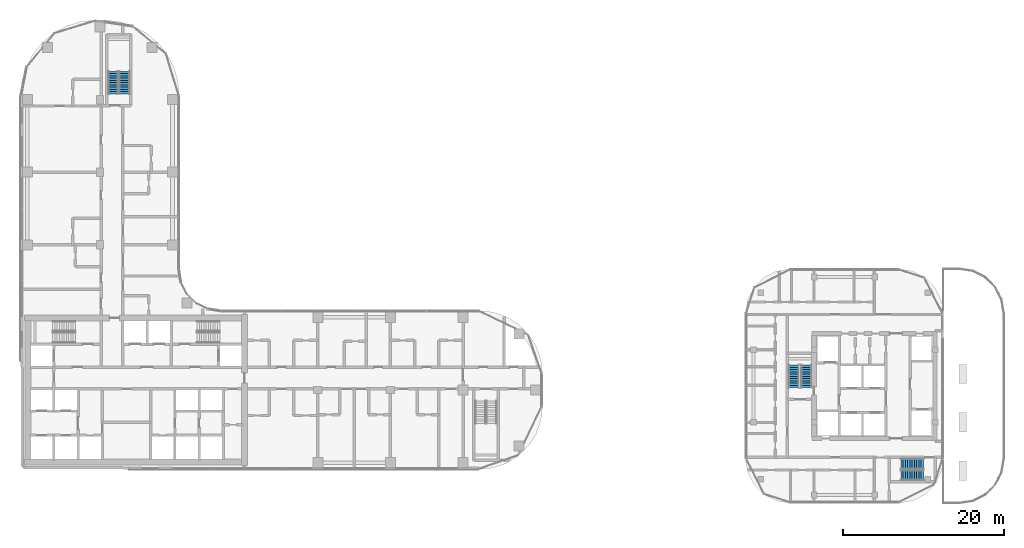
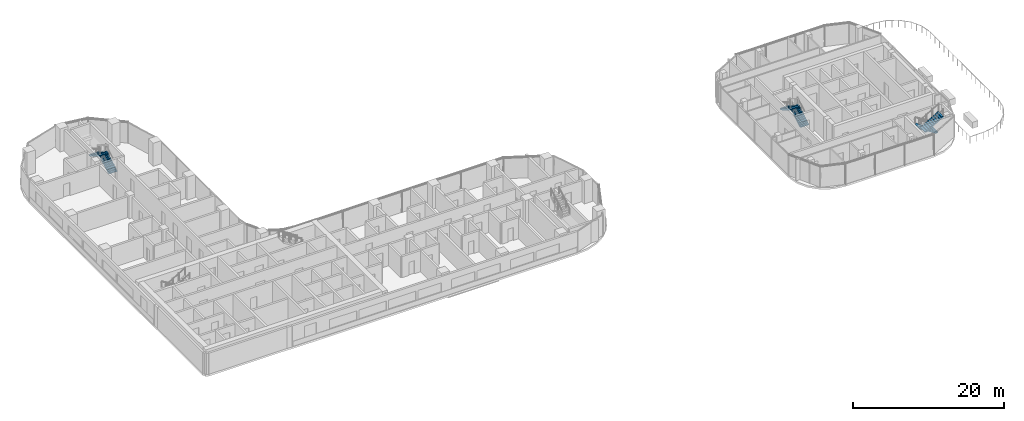
# One storey, part 28 of 35: 6 stair flights, 3 elements without a shape of their own.
"""IFC4 building model written with IfcOpenShell, lengths in metres."""

from ifc_helpers import new_model, si_unit, direction, frame, origin, place, context, subcontext, project, spatial, triangles, source, transform, mapped, material, type_object, element, aggregate, save


model = new_model("IFC4")

# Units and contexts
model_context = context("Model", 3, precision=1e-05, world=origin(), true_north=direction((0.0, 1.0)))
body_context = subcontext(model_context, "Body", "Model", "MODEL_VIEW")
ifc_project = project(units=[si_unit("LENGTHUNIT", "METRE"), si_unit("AREAUNIT", "SQUARE_METRE"), si_unit("VOLUMEUNIT", "CUBIC_METRE"), si_unit("PLANEANGLEUNIT", "RADIAN"), si_unit("MASSUNIT", "GRAM", prefix="KILO")], contexts=[model_context])

# Site, building, storey
site_placement = place(None, origin())
site = spatial("IfcSite", under=ifc_project, at=site_placement, CompositionType="ELEMENT")
building_placement = place(site_placement, origin())
building = spatial("IfcBuilding", under=site, at=building_placement, Name="Ogive Portal Towers", CompositionType="ELEMENT")
storey_placement = place(building_placement, frame((0.0, 0.0, 94.5)))
storey = spatial("IfcBuildingStorey", under=building, at=storey_placement, Name="L22", CompositionType="ELEMENT", Elevation=94.5)

# Stair, stair flights
ifc_material = material(Name="Concrete C40/50", Category="concrete")
stair_type = type_object("IfcStairType", Name="INT-STAIR", PredefinedType="HALF_TURN_STAIR", material=ifc_material)
stair_1_placement = place(storey_placement, origin())
stair_1 = element("IfcStair", 1, at=stair_1_placement, inside=storey, type_object=stair_type, Name="L22 Exit Stair ST-A3", PredefinedType="HALF_TURN_STAIR")
stair_flight_type = type_object("IfcStairFlightType", Name="INT-FLIGHT", PredefinedType="STRAIGHT", material=ifc_material)
shared_shape = source(origin(), body_context, "Body", "Tessellation", [
    triangles([(0.0, -0.650146484375, 0.0), (0.0, -0.376220703125, 0.0), (0.0, -0.192626953125, 0.0), (0.0, -0.081298828125, 0.0), (0.0, -0.024169921875, 0.0), (0.0, -0.003173828125, 0.0), (0.0, 0.0, 0.0), (0.0, 0.0029296875, 0.0), (0.0, 0.02392578125, 0.0), (0.0, 0.0810546875, 0.0), (0.0, 0.1923828125, 0.0), (0.0, 0.3759765625, 0.0), (0.0, 0.64990234375, 0.0), (0.0, -0.650146484375, 0.168212890625), (0.0, -0.376220703125, 0.168212890625), (0.0, -0.192626953125, 0.168212890625), (0.0, -0.081298828125, 0.168212890625), (0.0, -0.024169921875, 0.168212890625), (0.0, -0.003173828125, 0.168212890625), (0.0, 0.0, 0.168212890625), (0.0, 0.0029296875, 0.168212890625), (0.0, 0.02392578125, 0.168212890625), (0.0, 0.0810546875, 0.168212890625), (0.0, 0.1923828125, 0.168212890625), (0.0, 0.3759765625, 0.168212890625), (0.0, 0.64990234375, 0.168212890625), (0.280029296875, -0.650146484375, 0.168212890625), (0.280029296875, -0.376220703125, 0.168212890625), (0.280029296875, -0.192626953125, 0.168212890625), (0.280029296875, -0.081298828125, 0.168212890625), (0.280029296875, -0.024169921875, 0.168212890625), (0.280029296875, -0.003173828125, 0.168212890625), (0.280029296875, 0.0, 0.168212890625), (0.280029296875, 0.0029296875, 0.168212890625), (0.280029296875, 0.02392578125, 0.168212890625), (0.280029296875, 0.0810546875, 0.168212890625), (0.280029296875, 0.1923828125, 0.168212890625), (0.280029296875, 0.3759765625, 0.168212890625), (0.280029296875, 0.64990234375, 0.168212890625), (0.280029296875, -0.650146484375, 0.33642578125), (0.280029296875, -0.376220703125, 0.33642578125), (0.280029296875, -0.192626953125, 0.33642578125), (0.280029296875, -0.081298828125, 0.33642578125), (0.280029296875, -0.024169921875, 0.33642578125), (0.280029296875, -0.003173828125, 0.33642578125), (0.280029296875, 0.0, 0.33642578125), (0.280029296875, 0.0029296875, 0.33642578125), (0.280029296875, 0.02392578125, 0.33642578125), (0.280029296875, 0.0810546875, 0.33642578125), (0.280029296875, 0.1923828125, 0.33642578125), (0.280029296875, 0.3759765625, 0.33642578125), (0.280029296875, 0.64990234375, 0.33642578125), (0.56005859375, -0.650146484375, 0.33642578125), (0.56005859375, -0.376220703125, 0.33642578125), (0.56005859375, -0.192626953125, 0.33642578125), (0.56005859375, -0.081298828125, 0.33642578125), (0.56005859375, -0.024169921875, 0.33642578125), (0.56005859375, -0.003173828125, 0.33642578125), (0.56005859375, 0.0, 0.33642578125), (0.56005859375, 0.0029296875, 0.33642578125), (0.56005859375, 0.02392578125, 0.33642578125), (0.56005859375, 0.0810546875, 0.33642578125), (0.56005859375, 0.1923828125, 0.33642578125), (0.56005859375, 0.3759765625, 0.33642578125), (0.56005859375, 0.64990234375, 0.33642578125), (0.56005859375, -0.650146484375, 0.504638671875), (0.56005859375, -0.376220703125, 0.504638671875), (0.56005859375, -0.192626953125, 0.504638671875), (0.56005859375, -0.081298828125, 0.504638671875), (0.56005859375, -0.024169921875, 0.504638671875), (0.56005859375, -0.003173828125, 0.504638671875), (0.56005859375, 0.0, 0.504638671875), (0.56005859375, 0.0029296875, 0.504638671875), (0.56005859375, 0.02392578125, 0.504638671875), (0.56005859375, 0.0810546875, 0.504638671875), (0.56005859375, 0.1923828125, 0.504638671875), (0.56005859375, 0.3759765625, 0.504638671875), (0.56005859375, 0.64990234375, 0.504638671875), (0.840087890625, -0.650146484375, 0.504638671875), (0.840087890625, -0.376220703125, 0.504638671875), (0.840087890625, -0.192626953125, 0.504638671875), (0.840087890625, -0.081298828125, 0.504638671875), (0.840087890625, -0.024169921875, 0.504638671875), (0.840087890625, -0.003173828125, 0.504638671875), (0.840087890625, 0.0, 0.504638671875), (0.840087890625, 0.0029296875, 0.504638671875), (0.840087890625, 0.02392578125, 0.504638671875), (0.840087890625, 0.0810546875, 0.504638671875), (0.840087890625, 0.1923828125, 0.504638671875), (0.840087890625, 0.3759765625, 0.504638671875), (0.840087890625, 0.64990234375, 0.504638671875), (0.840087890625, -0.650146484375, 0.672607421875), (0.840087890625, -0.376220703125, 0.672607421875), (0.840087890625, -0.192626953125, 0.672607421875), (0.840087890625, -0.081298828125, 0.672607421875), (0.840087890625, -0.024169921875, 0.672607421875), (0.840087890625, -0.003173828125, 0.672607421875), (0.840087890625, 0.0, 0.672607421875), (0.840087890625, 0.0029296875, 0.672607421875), (0.840087890625, 0.02392578125, 0.672607421875), (0.840087890625, 0.0810546875, 0.672607421875), (0.840087890625, 0.1923828125, 0.672607421875), (0.840087890625, 0.3759765625, 0.672607421875), (0.840087890625, 0.64990234375, 0.672607421875), (1.1201171875, -0.650146484375, 0.672607421875), (1.1201171875, -0.376220703125, 0.672607421875), (1.1201171875, -0.192626953125, 0.672607421875), (1.1201171875, -0.081298828125, 0.672607421875), (1.1201171875, -0.024169921875, 0.672607421875), (1.1201171875, -0.003173828125, 0.672607421875), (1.1201171875, 0.0, 0.672607421875), (1.1201171875, 0.0029296875, 0.672607421875), (1.1201171875, 0.02392578125, 0.672607421875), (1.1201171875, 0.0810546875, 0.672607421875), (1.1201171875, 0.1923828125, 0.672607421875), (1.1201171875, 0.3759765625, 0.672607421875), (1.1201171875, 0.64990234375, 0.672607421875), (1.1201171875, -0.650146484375, 0.8408203125), (1.1201171875, -0.376220703125, 0.8408203125), (1.1201171875, -0.192626953125, 0.8408203125), (1.1201171875, -0.081298828125, 0.8408203125), (1.1201171875, -0.024169921875, 0.8408203125), (1.1201171875, -0.003173828125, 0.8408203125), (1.1201171875, 0.0, 0.8408203125), (1.1201171875, 0.0029296875, 0.8408203125), (1.1201171875, 0.02392578125, 0.8408203125), (1.1201171875, 0.0810546875, 0.8408203125), (1.1201171875, 0.1923828125, 0.8408203125), (1.1201171875, 0.3759765625, 0.8408203125), (1.1201171875, 0.64990234375, 0.8408203125), (1.39990234375, -0.650146484375, 0.8408203125), (1.39990234375, -0.376220703125, 0.8408203125), (1.39990234375, -0.192626953125, 0.8408203125), (1.39990234375, -0.081298828125, 0.8408203125), (1.39990234375, -0.024169921875, 0.8408203125), (1.39990234375, -0.003173828125, 0.8408203125), (1.39990234375, 0.0, 0.8408203125), (1.39990234375, 0.0029296875, 0.8408203125), (1.39990234375, 0.02392578125, 0.8408203125), (1.39990234375, 0.0810546875, 0.8408203125), (1.39990234375, 0.1923828125, 0.8408203125), (1.39990234375, 0.3759765625, 0.8408203125), (1.39990234375, 0.64990234375, 0.8408203125), (1.39990234375, -0.650146484375, 1.009033203125), (1.39990234375, -0.376220703125, 1.009033203125), (1.39990234375, -0.192626953125, 1.009033203125), (1.39990234375, -0.081298828125, 1.009033203125), (1.39990234375, -0.024169921875, 1.009033203125), (1.39990234375, -0.003173828125, 1.009033203125), (1.39990234375, 0.0, 1.009033203125), (1.39990234375, 0.0029296875, 1.009033203125), (1.39990234375, 0.02392578125, 1.009033203125), (1.39990234375, 0.0810546875, 1.009033203125), (1.39990234375, 0.1923828125, 1.009033203125), (1.39990234375, 0.3759765625, 1.009033203125), (1.39990234375, 0.64990234375, 1.009033203125), (1.679931640625, -0.650146484375, 1.009033203125), (1.679931640625, -0.376220703125, 1.009033203125), (1.679931640625, -0.192626953125, 1.009033203125), (1.679931640625, -0.081298828125, 1.009033203125), (1.679931640625, -0.024169921875, 1.009033203125), (1.679931640625, -0.003173828125, 1.009033203125), (1.679931640625, 0.0, 1.009033203125), (1.679931640625, 0.0029296875, 1.009033203125), (1.679931640625, 0.02392578125, 1.009033203125), (1.679931640625, 0.0810546875, 1.009033203125), (1.679931640625, 0.1923828125, 1.009033203125), (1.679931640625, 0.3759765625, 1.009033203125), (1.679931640625, 0.64990234375, 1.009033203125), (1.679931640625, -0.650146484375, 1.17724609375), (1.679931640625, -0.376220703125, 1.17724609375), (1.679931640625, -0.192626953125, 1.17724609375), (1.679931640625, -0.081298828125, 1.17724609375), (1.679931640625, -0.024169921875, 1.17724609375), (1.679931640625, -0.003173828125, 1.17724609375), (1.679931640625, 0.0, 1.17724609375), (1.679931640625, 0.0029296875, 1.17724609375), (1.679931640625, 0.02392578125, 1.17724609375), (1.679931640625, 0.0810546875, 1.17724609375), (1.679931640625, 0.1923828125, 1.17724609375), (1.679931640625, 0.3759765625, 1.17724609375), (1.679931640625, 0.64990234375, 1.17724609375), (1.9599609375, -0.650146484375, 1.17724609375), (1.9599609375, -0.376220703125, 1.17724609375), (1.9599609375, -0.192626953125, 1.17724609375), (1.9599609375, -0.081298828125, 1.17724609375), (1.9599609375, -0.024169921875, 1.17724609375), (1.9599609375, -0.003173828125, 1.17724609375), (1.9599609375, 0.0, 1.17724609375), (1.9599609375, 0.0029296875, 1.17724609375), (1.9599609375, 0.02392578125, 1.17724609375), (1.9599609375, 0.0810546875, 1.17724609375), (1.9599609375, 0.1923828125, 1.17724609375), (1.9599609375, 0.3759765625, 1.17724609375), (1.9599609375, 0.64990234375, 1.17724609375), (1.9599609375, -0.650146484375, 1.345458984375), (1.9599609375, -0.376220703125, 1.345458984375), (1.9599609375, -0.192626953125, 1.345458984375), (1.9599609375, -0.081298828125, 1.345458984375), (1.9599609375, -0.024169921875, 1.345458984375), (1.9599609375, -0.003173828125, 1.345458984375), (1.9599609375, 0.0, 1.345458984375), (1.9599609375, 0.0029296875, 1.345458984375), (1.9599609375, 0.02392578125, 1.345458984375), (1.9599609375, 0.0810546875, 1.345458984375), (1.9599609375, 0.1923828125, 1.345458984375), (1.9599609375, 0.3759765625, 1.345458984375), (1.9599609375, 0.64990234375, 1.345458984375), (2.239990234375, -0.650146484375, 1.345458984375), (2.239990234375, -0.376220703125, 1.345458984375), (2.239990234375, -0.192626953125, 1.345458984375), (2.239990234375, -0.081298828125, 1.345458984375), (2.239990234375, -0.024169921875, 1.345458984375), (2.239990234375, -0.003173828125, 1.345458984375), (2.239990234375, 0.0, 1.345458984375), (2.239990234375, 0.0029296875, 1.345458984375), (2.239990234375, 0.02392578125, 1.345458984375), (2.239990234375, 0.0810546875, 1.345458984375), (2.239990234375, 0.1923828125, 1.345458984375), (2.239990234375, 0.3759765625, 1.345458984375), (2.239990234375, 0.64990234375, 1.345458984375), (2.239990234375, -0.650146484375, 1.513671875), (2.239990234375, -0.376220703125, 1.513671875), (2.239990234375, -0.192626953125, 1.513671875), (2.239990234375, -0.081298828125, 1.513671875), (2.239990234375, -0.024169921875, 1.513671875), (2.239990234375, -0.003173828125, 1.513671875), (2.239990234375, 0.0, 1.513671875), (2.239990234375, 0.0029296875, 1.513671875), (2.239990234375, 0.02392578125, 1.513671875), (2.239990234375, 0.0810546875, 1.513671875), (2.239990234375, 0.1923828125, 1.513671875), (2.239990234375, 0.3759765625, 1.513671875), (2.239990234375, 0.64990234375, 1.513671875), (2.52001953125, -0.650146484375, 1.513671875), (2.52001953125, -0.376220703125, 1.513671875), (2.52001953125, -0.192626953125, 1.513671875), (2.52001953125, -0.081298828125, 1.513671875), (2.52001953125, -0.024169921875, 1.513671875), (2.52001953125, -0.003173828125, 1.513671875), (2.52001953125, 0.0, 1.513671875), (2.52001953125, 0.0029296875, 1.513671875), (2.52001953125, 0.02392578125, 1.513671875), (2.52001953125, 0.0810546875, 1.513671875), (2.52001953125, 0.1923828125, 1.513671875), (2.52001953125, 0.3759765625, 1.513671875), (2.52001953125, 0.64990234375, 1.513671875), (2.52001953125, -0.650146484375, 1.681884765625), (2.52001953125, -0.376220703125, 1.681884765625), (2.52001953125, -0.192626953125, 1.681884765625), (2.52001953125, -0.081298828125, 1.681884765625), (2.52001953125, -0.024169921875, 1.681884765625), (2.52001953125, -0.003173828125, 1.681884765625), (2.52001953125, 0.0, 1.681884765625), (2.52001953125, 0.0029296875, 1.681884765625), (2.52001953125, 0.02392578125, 1.681884765625), (2.52001953125, 0.0810546875, 1.681884765625), (2.52001953125, 0.1923828125, 1.681884765625), (2.52001953125, 0.3759765625, 1.681884765625), (2.52001953125, 0.64990234375, 1.681884765625), (2.800048828125, -0.650146484375, 1.681884765625), (2.800048828125, -0.376220703125, 1.681884765625), (2.800048828125, -0.192626953125, 1.681884765625), (2.800048828125, -0.081298828125, 1.681884765625), (2.800048828125, -0.024169921875, 1.681884765625), (2.800048828125, -0.003173828125, 1.681884765625), (2.800048828125, 0.0, 1.681884765625), (2.800048828125, 0.0029296875, 1.681884765625), (2.800048828125, 0.02392578125, 1.681884765625), (2.800048828125, 0.0810546875, 1.681884765625), (2.800048828125, 0.1923828125, 1.681884765625), (2.800048828125, 0.3759765625, 1.681884765625), (2.800048828125, 0.64990234375, 1.681884765625), (2.800048828125, -0.650146484375, 1.5068359375), (2.800048828125, -0.376220703125, 1.5068359375), (2.800048828125, -0.192626953125, 1.5068359375), (2.800048828125, -0.081298828125, 1.5068359375), (2.800048828125, -0.024169921875, 1.5068359375), (2.800048828125, -0.003173828125, 1.5068359375), (2.800048828125, 0.0, 1.5068359375), (2.800048828125, 0.0029296875, 1.5068359375), (2.800048828125, 0.02392578125, 1.5068359375), (2.800048828125, 0.0810546875, 1.5068359375), (2.800048828125, 0.1923828125, 1.5068359375), (2.800048828125, 0.3759765625, 1.5068359375), (2.800048828125, 0.64990234375, 1.5068359375), (0.291015625, -0.650146484375, 0.0), (0.291015625, -0.376220703125, 0.0), (0.291015625, -0.192626953125, 0.0), (0.291015625, -0.081298828125, 0.0), (0.291015625, -0.024169921875, 0.0), (0.291015625, -0.003173828125, 0.0), (0.291015625, 0.0, 0.0), (0.291015625, 0.0029296875, 0.0), (0.291015625, 0.02392578125, 0.0), (0.291015625, 0.0810546875, 0.0), (0.291015625, 0.1923828125, 0.0), (0.291015625, 0.3759765625, 0.0), (0.291015625, 0.64990234375, 0.0)], [[1, 14, 15], [1, 15, 2], [2, 15, 16], [2, 16, 3], [3, 16, 17], [3, 17, 4], [4, 17, 18], [4, 18, 5], [5, 18, 19], [5, 19, 6], [6, 19, 20], [6, 20, 7], [7, 20, 21], [7, 21, 8], [8, 21, 22], [8, 22, 9], [9, 22, 23], [9, 23, 10], [10, 23, 24], [10, 24, 11], [11, 24, 25], [11, 25, 12], [12, 25, 26], [12, 26, 13], [14, 27, 28], [14, 28, 15], [15, 28, 29], [15, 29, 16], [16, 29, 30], [16, 30, 17], [17, 30, 31], [17, 31, 18], [18, 31, 32], [18, 32, 19], [19, 32, 33], [19, 33, 20], [20, 33, 34], [20, 34, 21], [21, 34, 35], [21, 35, 22], [22, 35, 36], [22, 36, 23], [23, 36, 37], [23, 37, 24], [24, 37, 38], [24, 38, 25], [25, 38, 39], [25, 39, 26], [27, 40, 41], [27, 41, 28], [28, 41, 42], [28, 42, 29], [29, 42, 43], [29, 43, 30], [30, 43, 44], [30, 44, 31], [31, 44, 45], [31, 45, 32], [32, 45, 46], [32, 46, 33], [33, 46, 47], [33, 47, 34], [34, 47, 48], [34, 48, 35], [35, 48, 49], [35, 49, 36], [36, 49, 50], [36, 50, 37], [37, 50, 51], [37, 51, 38], [38, 51, 52], [38, 52, 39], [40, 53, 54], [40, 54, 41], [41, 54, 55], [41, 55, 42], [42, 55, 56], [42, 56, 43], [43, 56, 57], [43, 57, 44], [44, 57, 58], [44, 58, 45], [45, 58, 59], [45, 59, 46], [46, 59, 60], [46, 60, 47], [47, 60, 61], [47, 61, 48], [48, 61, 62], [48, 62, 49], [49, 62, 63], [49, 63, 50], [50, 63, 64], [50, 64, 51], [51, 64, 65], [51, 65, 52], [53, 66, 67], [53, 67, 54], [54, 67, 68], [54, 68, 55], [55, 68, 69], [55, 69, 56], [56, 69, 70], [56, 70, 57], [57, 70, 71], [57, 71, 58], [58, 71, 72], [58, 72, 59], [59, 72, 73], [59, 73, 60], [60, 73, 74], [60, 74, 61], [61, 74, 75], [61, 75, 62], [62, 75, 76], [62, 76, 63], [63, 76, 77], [63, 77, 64], [64, 77, 78], [64, 78, 65], [66, 79, 80], [66, 80, 67], [67, 80, 81], [67, 81, 68], [68, 81, 82], [68, 82, 69], [69, 82, 83], [69, 83, 70], [70, 83, 84], [70, 84, 71], [71, 84, 85], [71, 85, 72], [72, 85, 86], [72, 86, 73], [73, 86, 87], [73, 87, 74], [74, 87, 88], [74, 88, 75], [75, 88, 89], [75, 89, 76], [76, 89, 90], [76, 90, 77], [77, 90, 91], [77, 91, 78], [79, 92, 93], [79, 93, 80], [80, 93, 94], [80, 94, 81], [81, 94, 95], [81, 95, 82], [82, 95, 96], [82, 96, 83], [83, 96, 97], [83, 97, 84], [84, 97, 98], [84, 98, 85], [85, 98, 99], [85, 99, 86], [86, 99, 100], [86, 100, 87], [87, 100, 101], [87, 101, 88], [88, 101, 102], [88, 102, 89], [89, 102, 103], [89, 103, 90], [90, 103, 104], [90, 104, 91], [92, 105, 106], [92, 106, 93], [93, 106, 107], [93, 107, 94], [94, 107, 108], [94, 108, 95], [95, 108, 109], [95, 109, 96], [96, 109, 110], [96, 110, 97], [97, 110, 111], [97, 111, 98], [98, 111, 112], [98, 112, 99], [99, 112, 113], [99, 113, 100], [100, 113, 114], [100, 114, 101], [101, 114, 115], [101, 115, 102], [102, 115, 116], [102, 116, 103], [103, 116, 117], [103, 117, 104], [105, 118, 119], [105, 119, 106], [106, 119, 120], [106, 120, 107], [107, 120, 121], [107, 121, 108], [108, 121, 122], [108, 122, 109], [109, 122, 123], [109, 123, 110], [110, 123, 124], [110, 124, 111], [111, 124, 125], [111, 125, 112], [112, 125, 126], [112, 126, 113], [113, 126, 127], [113, 127, 114], [114, 127, 128], [114, 128, 115], [115, 128, 129], [115, 129, 116], [116, 129, 130], [116, 130, 117], [118, 131, 132], [118, 132, 119], [119, 132, 133], [119, 133, 120], [120, 133, 134], [120, 134, 121], [121, 134, 135], [121, 135, 122], [122, 135, 136], [122, 136, 123], [123, 136, 137], [123, 137, 124], [124, 137, 138], [124, 138, 125], [125, 138, 139], [125, 139, 126], [126, 139, 140], [126, 140, 127], [127, 140, 141], [127, 141, 128], [128, 141, 142], [128, 142, 129], [129, 142, 143], [129, 143, 130], [131, 144, 145], [131, 145, 132], [132, 145, 146], [132, 146, 133], [133, 146, 147], [133, 147, 134], [134, 147, 148], [134, 148, 135], [135, 148, 149], [135, 149, 136], [136, 149, 150], [136, 150, 137], [137, 150, 151], [137, 151, 138], [138, 151, 152], [138, 152, 139], [139, 152, 153], [139, 153, 140], [140, 153, 154], [140, 154, 141], [141, 154, 155], [141, 155, 142], [142, 155, 156], [142, 156, 143], [144, 157, 158], [144, 158, 145], [145, 158, 159], [145, 159, 146], [146, 159, 160], [146, 160, 147], [147, 160, 161], [147, 161, 148], [148, 161, 162], [148, 162, 149], [149, 162, 163], [149, 163, 150], [150, 163, 164], [150, 164, 151], [151, 164, 165], [151, 165, 152], [152, 165, 166], [152, 166, 153], [153, 166, 167], [153, 167, 154], [154, 167, 168], [154, 168, 155], [155, 168, 169], [155, 169, 156], [157, 170, 171], [157, 171, 158], [158, 171, 172], [158, 172, 159], [159, 172, 173], [159, 173, 160], [160, 173, 174], [160, 174, 161], [161, 174, 175], [161, 175, 162], [162, 175, 176], [162, 176, 163], [163, 176, 177], [163, 177, 164], [164, 177, 178], [164, 178, 165], [165, 178, 179], [165, 179, 166], [166, 179, 180], [166, 180, 167], [167, 180, 181], [167, 181, 168], [168, 181, 182], [168, 182, 169], [170, 183, 184], [170, 184, 171], [171, 184, 185], [171, 185, 172], [172, 185, 186], [172, 186, 173], [173, 186, 187], [173, 187, 174], [174, 187, 188], [174, 188, 175], [175, 188, 189], [175, 189, 176], [176, 189, 190], [176, 190, 177], [177, 190, 191], [177, 191, 178], [178, 191, 192], [178, 192, 179], [179, 192, 193], [179, 193, 180], [180, 193, 194], [180, 194, 181], [181, 194, 195], [181, 195, 182], [183, 196, 197], [183, 197, 184], [184, 197, 198], [184, 198, 185], [185, 198, 199], [185, 199, 186], [186, 199, 200], [186, 200, 187], [187, 200, 201], [187, 201, 188], [188, 201, 202], [188, 202, 189], [189, 202, 203], [189, 203, 190], [190, 203, 204], [190, 204, 191], [191, 204, 205], [191, 205, 192], [192, 205, 206], [192, 206, 193], [193, 206, 207], [193, 207, 194], [194, 207, 208], [194, 208, 195], [196, 209, 210], [196, 210, 197], [197, 210, 211], [197, 211, 198], [198, 211, 212], [198, 212, 199], [199, 212, 213], [199, 213, 200], [200, 213, 214], [200, 214, 201], [201, 214, 215], [201, 215, 202], [202, 215, 216], [202, 216, 203], [203, 216, 217], [203, 217, 204], [204, 217, 218], [204, 218, 205], [205, 218, 219], [205, 219, 206], [206, 219, 220], [206, 220, 207], [207, 220, 221], [207, 221, 208], [209, 222, 223], [209, 223, 210], [210, 223, 224], [210, 224, 211], [211, 224, 225], [211, 225, 212], [212, 225, 226], [212, 226, 213], [213, 226, 227], [213, 227, 214], [214, 227, 228], [214, 228, 215], [215, 228, 229], [215, 229, 216], [216, 229, 230], [216, 230, 217], [217, 230, 231], [217, 231, 218], [218, 231, 232], [218, 232, 219], [219, 232, 233], [219, 233, 220], [220, 233, 234], [220, 234, 221], [222, 235, 236], [222, 236, 223], [223, 236, 237], [223, 237, 224], [224, 237, 238], [224, 238, 225], [225, 238, 239], [225, 239, 226], [226, 239, 240], [226, 240, 227], [227, 240, 241], [227, 241, 228], [228, 241, 242], [228, 242, 229], [229, 242, 243], [229, 243, 230], [230, 243, 244], [230, 244, 231], [231, 244, 245], [231, 245, 232], [232, 245, 246], [232, 246, 233], [233, 246, 247], [233, 247, 234], [235, 248, 249], [235, 249, 236], [236, 249, 250], [236, 250, 237], [237, 250, 251], [237, 251, 238], [238, 251, 252], [238, 252, 239], [239, 252, 253], [239, 253, 240], [240, 253, 254], [240, 254, 241], [241, 254, 255], [241, 255, 242], [242, 255, 256], [242, 256, 243], [243, 256, 257], [243, 257, 244], [244, 257, 258], [244, 258, 245], [245, 258, 259], [245, 259, 246], [246, 259, 260], [246, 260, 247], [248, 261, 262], [248, 262, 249], [249, 262, 263], [249, 263, 250], [250, 263, 264], [250, 264, 251], [251, 264, 265], [251, 265, 252], [252, 265, 266], [252, 266, 253], [253, 266, 267], [253, 267, 254], [254, 267, 268], [254, 268, 255], [255, 268, 269], [255, 269, 256], [256, 269, 270], [256, 270, 257], [257, 270, 271], [257, 271, 258], [258, 271, 272], [258, 272, 259], [259, 272, 273], [259, 273, 260], [261, 274, 275], [261, 275, 262], [262, 275, 276], [262, 276, 263], [263, 276, 277], [263, 277, 264], [264, 277, 278], [264, 278, 265], [265, 278, 279], [265, 279, 266], [266, 279, 280], [266, 280, 267], [267, 280, 281], [267, 281, 268], [268, 281, 282], [268, 282, 269], [269, 282, 283], [269, 283, 270], [270, 283, 284], [270, 284, 271], [271, 284, 285], [271, 285, 272], [272, 285, 286], [272, 286, 273], [274, 287, 288], [274, 288, 275], [275, 288, 289], [275, 289, 276], [276, 289, 290], [276, 290, 277], [277, 290, 291], [277, 291, 278], [278, 291, 292], [278, 292, 279], [279, 292, 293], [279, 293, 280], [280, 293, 294], [280, 294, 281], [281, 294, 295], [281, 295, 282], [282, 295, 296], [282, 296, 283], [283, 296, 297], [283, 297, 284], [284, 297, 298], [284, 298, 285], [285, 298, 299], [285, 299, 286], [287, 1, 2], [287, 2, 288], [288, 2, 3], [288, 3, 289], [289, 3, 4], [289, 4, 290], [290, 4, 5], [290, 5, 291], [291, 5, 6], [291, 6, 292], [292, 6, 7], [292, 7, 293], [293, 7, 8], [293, 8, 294], [294, 8, 9], [294, 9, 295], [295, 9, 10], [295, 10, 296], [296, 10, 11], [296, 11, 297], [297, 11, 12], [297, 12, 298], [298, 12, 13], [298, 13, 299], [1, 287, 274], [13, 286, 299], [274, 261, 248], [286, 260, 273], [274, 248, 235], [286, 247, 260], [274, 235, 222], [286, 234, 247], [274, 222, 209], [286, 221, 234], [209, 196, 183], [221, 195, 208], [274, 209, 183], [286, 195, 221], [183, 170, 157], [195, 169, 182], [274, 183, 157], [286, 169, 195], [157, 144, 131], [169, 143, 156], [274, 157, 131], [286, 143, 169], [131, 118, 105], [143, 117, 130], [274, 131, 105], [286, 117, 143], [1, 274, 105], [13, 117, 286], [105, 92, 79], [117, 91, 104], [79, 66, 53], [91, 65, 78], [105, 79, 53], [117, 65, 91], [53, 40, 27], [65, 39, 52], [105, 53, 27], [117, 39, 65], [1, 105, 27], [13, 39, 117], [27, 14, 1], [39, 13, 26]], closed=True),
])
stair_flight_1_placement = place(storey_placement, frame((43.550048828125, 67.199951171875, 0.0), z_axis=(0.0, 0.0, 1.0), x_axis=(0.0, 1.0, 0.0)))
stair_flight_1 = element("IfcStairFlight", 2, at=stair_flight_1_placement, type_object=stair_flight_type, Name="ST-A3 flight 1", NumberOfRisers=11, NumberOfTreads=10, PredefinedType="STRAIGHT", RiserHeight=0.168181818, TreadLength=0.28, context=body_context, shape_type="MappedRepresentation", body=[
    mapped(shared_shape, transform((0.0, 0.0, 0.0), scale=1.0)),
])
stair_flight_2_placement = place(storey_placement, frame((42.14990234375, 70.0, 1.85009765625), z_axis=(0.0, 0.0, 1.0), x_axis=(0.0, -1.0, 0.0)))
stair_flight_2 = element("IfcStairFlight", 3, at=stair_flight_2_placement, type_object=stair_flight_type, Name="ST-A3 flight 2", NumberOfRisers=11, NumberOfTreads=10, PredefinedType="STRAIGHT", RiserHeight=0.168181818, TreadLength=0.28, context=body_context, shape_type="MappedRepresentation", body=[
    mapped(shared_shape, transform((0.0, 0.0, 0.0), scale=1.0)),
])
aggregate(stair_1, [stair_flight_1, stair_flight_2])

stair_2_placement = place(storey_placement, origin())
stair_2 = element("IfcStair", 4, at=stair_2_placement, inside=storey, type_object=stair_type, Name="L22 Exit Stair ST-B1", PredefinedType="HALF_TURN_STAIR")
stair_flight_3_placement = place(storey_placement, frame((128.050048828125, 30.800048828125, 0.0), z_axis=(0.0, 0.0, 1.0), x_axis=(0.0, 1.0, 0.0)))
stair_flight_3 = element("IfcStairFlight", 5, at=stair_flight_3_placement, type_object=stair_flight_type, Name="ST-B1 flight 1", NumberOfRisers=11, NumberOfTreads=10, PredefinedType="STRAIGHT", RiserHeight=0.168181818, TreadLength=0.28, context=body_context, shape_type="MappedRepresentation", body=[
    mapped(shared_shape, transform((0.0, 0.0, 0.0), scale=1.0)),
])
stair_flight_4_placement = place(storey_placement, frame((126.5, 33.60009765625, 1.85009765625), z_axis=(0.0, 0.0, 1.0), x_axis=(0.0, -1.0, 0.0)))
stair_flight_4 = element("IfcStairFlight", 6, at=stair_flight_4_placement, type_object=stair_flight_type, Name="ST-B1 flight 2", NumberOfRisers=11, NumberOfTreads=10, PredefinedType="STRAIGHT", RiserHeight=0.168181818, TreadLength=0.28, context=body_context, shape_type="MappedRepresentation", body=[
    mapped(shared_shape, transform((0.0, 0.0, 0.0), scale=1.0)),
])
aggregate(stair_2, [stair_flight_3, stair_flight_4])

stair_3_placement = place(storey_placement, origin())
stair_3 = element("IfcStair", 7, at=stair_3_placement, inside=storey, type_object=stair_type, Name="L22 Exit Stair ST-B2", PredefinedType="HALF_TURN_STAIR")
stair_flight_5_placement = place(storey_placement, frame((142.550048828125, 21.35009765625, 0.0), z_axis=(0.0, 0.0, 1.0), x_axis=(-1.0, 0.0, 0.0)))
stair_flight_5 = element("IfcStairFlight", 8, at=stair_flight_5_placement, type_object=stair_flight_type, Name="ST-B2 flight 1", NumberOfRisers=11, NumberOfTreads=10, PredefinedType="STRAIGHT", RiserHeight=0.168181818, TreadLength=0.28, context=body_context, shape_type="MappedRepresentation", body=[
    mapped(shared_shape, transform((0.0, 0.0, 0.0), scale=1.0)),
])
stair_flight_6_placement = place(storey_placement, frame((139.75, 19.949951171875, 1.85009765625), z_axis=(0.0, 0.0, 1.0), x_axis=(1.0, 0.0, 0.0)))
stair_flight_6 = element("IfcStairFlight", 9, at=stair_flight_6_placement, type_object=stair_flight_type, Name="ST-B2 flight 2", NumberOfRisers=11, NumberOfTreads=10, PredefinedType="STRAIGHT", RiserHeight=0.168181818, TreadLength=0.28, context=body_context, shape_type="MappedRepresentation", body=[
    mapped(shared_shape, transform((0.0, 0.0, 0.0), scale=1.0)),
])
aggregate(stair_3, [stair_flight_5, stair_flight_6])

save(model, "model.ifc")
